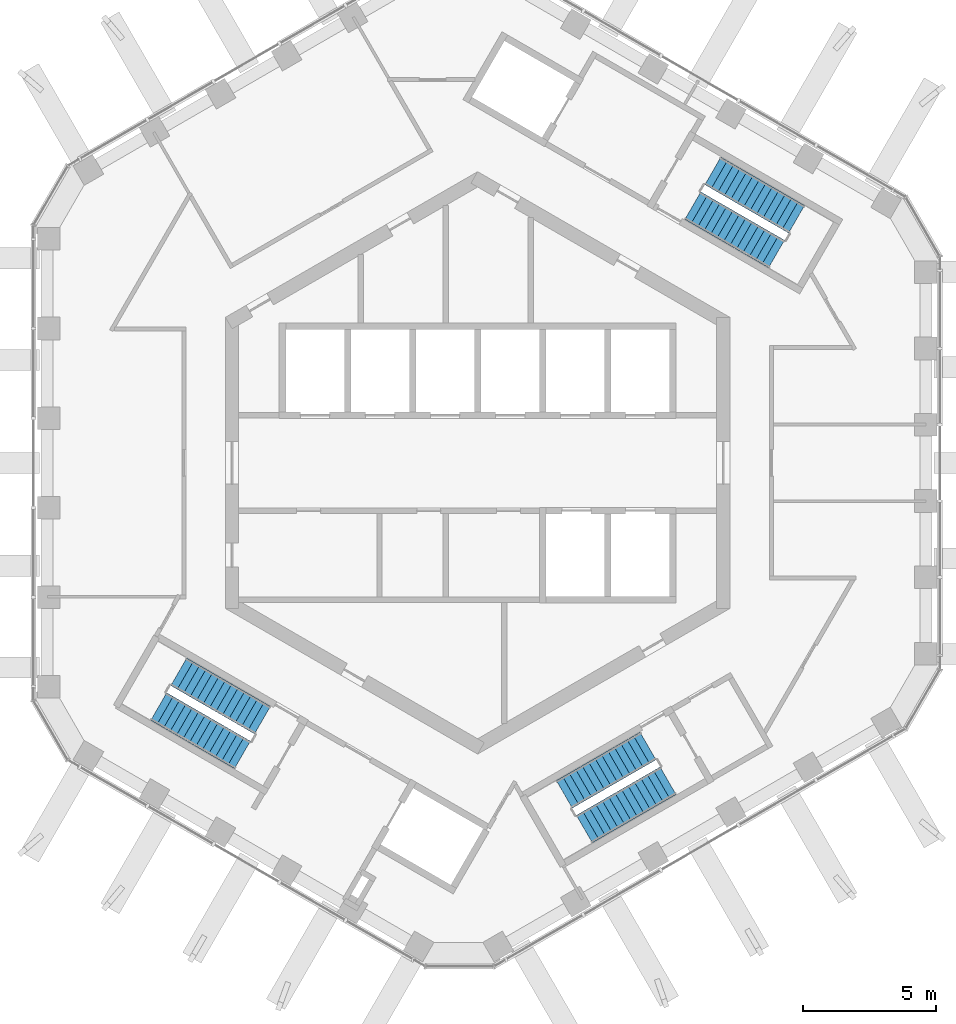
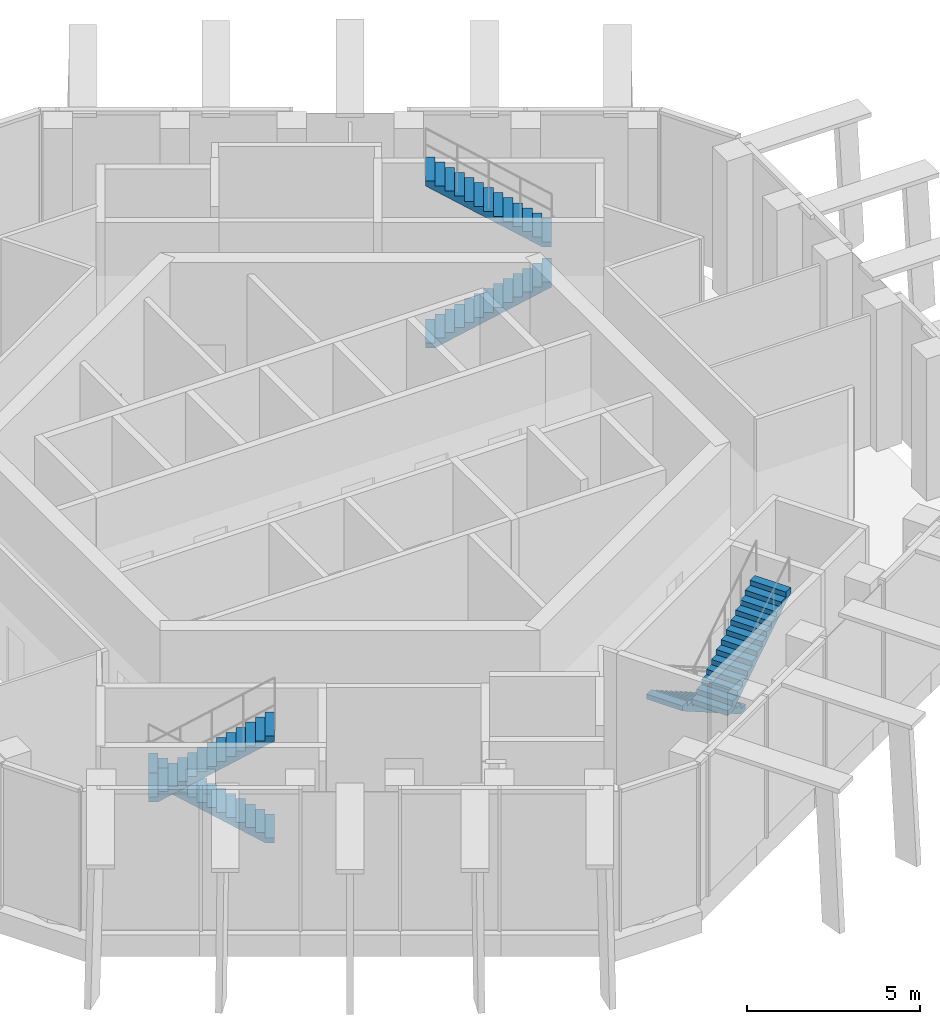
# One storey, part 14 of 17: 6 stair flights, 3 elements without a shape of their own.
"""IFC4 building model written with IfcOpenShell, lengths in metres."""

from ifc_helpers import new_model, si_unit, direction, frame, origin, place, context, subcontext, project, spatial, triangles, material, type_object, element, aggregate, save


model = new_model("IFC4")

# Units and contexts
model_context = context("Model", 3, precision=1e-05, world=origin(), true_north=direction((0.0, 1.0)))
body_context = subcontext(model_context, "Body", "Model", "MODEL_VIEW")
ifc_project = project(units=[si_unit("LENGTHUNIT", "METRE"), si_unit("AREAUNIT", "SQUARE_METRE"), si_unit("VOLUMEUNIT", "CUBIC_METRE"), si_unit("PLANEANGLEUNIT", "RADIAN"), si_unit("MASSUNIT", "GRAM", prefix="KILO")], contexts=[model_context])

# Site, building, storey
site_placement = place(None, origin())
site = spatial("IfcSite", under=ifc_project, at=site_placement, CompositionType="ELEMENT")
building_placement = place(site_placement, origin())
building = spatial("IfcBuilding", under=site, at=building_placement, Name="Ayvan Gate Tower", CompositionType="ELEMENT")
storey_placement = place(building_placement, frame((0.0, 0.0, 257.89990234375)))
storey = spatial("IfcBuildingStorey", under=building, at=storey_placement, Name="L69", CompositionType="ELEMENT", Elevation=257.89990234375)

# Stair, stair flights
ifc_material = material(Name="Concrete C40/50", Category="concrete")
stair_type = type_object("IfcStairType", Name="ST-EXIT", PredefinedType="HALF_TURN_STAIR", material=ifc_material)
stair_1_placement = place(storey_placement, origin())
stair_1 = element("IfcStair", 1, at=stair_1_placement, inside=storey, type_object=stair_type, Name="L69 Exit Stair S1", PredefinedType="HALF_TURN_STAIR")
stair_flight_type = type_object("IfcStairFlightType", Name="SFL-EXIT", PredefinedType="STRAIGHT", material=ifc_material)
stair_flight_1_placement = place(storey_placement, frame((8.106201171875, 9.690185546875, 0.0), z_axis=(0.0, 0.0, 1.0), x_axis=(0.866025403784, -0.5, 0.0)))
stair_flight_1 = element("IfcStairFlight", 2, at=stair_flight_1_placement, type_object=stair_flight_type, Name="STS1 flight 1", NumberOfRisers=14, NumberOfTreads=13, PredefinedType="STRAIGHT", RiserHeight=0.178571429, TreadLength=0.28, context=body_context, shape_type="Tessellation", body=[
    triangles([(0.278779, -0.599976, 0.0), (3.6405, -0.599976, 2.143955), (3.6405, -0.599976, 2.321429), (3.36, -0.599976, 2.321429), (3.36, -0.599976, 2.142857), (3.08, -0.599976, 2.142857), (3.08, -0.599976, 1.964286), (2.8, -0.599976, 1.964286), (2.8, -0.599976, 1.785714), (2.52, -0.599976, 1.785714), (2.52, -0.599976, 1.607143), (2.24, -0.599976, 1.607143), (2.24, -0.599976, 1.428571), (1.96, -0.599976, 1.428571), (1.96, -0.599976, 1.25), (1.68, -0.599976, 1.25), (1.68, -0.599976, 1.071429), (1.4, -0.599976, 1.071429), (1.4, -0.599976, 0.892857), (1.12, -0.599976, 0.892857), (1.12, -0.599976, 0.714286), (0.84, -0.599976, 0.714286), (0.84, -0.599976, 0.535714), (0.56, -0.599976, 0.535714), (0.56, -0.599976, 0.357143), (0.28, -0.599976, 0.357143), (0.28, -0.599976, 0.178571), (-0.0005, -0.599976, 0.178571), (-0.0005, -0.599976, 0.0), (0.278779, 0.0, 0.0), (3.6405, 0.0, 2.143955), (3.6405, 0.0, 2.321429), (3.36, 0.0, 2.321429), (3.36, 0.0, 2.142857), (3.08, 0.0, 2.142857), (3.08, 0.0, 1.964286), (2.8, 0.0, 1.964286), (2.8, 0.0, 1.785714), (2.52, 0.0, 1.785714), (2.52, 0.0, 1.607143), (2.24, 0.0, 1.607143), (2.24, 0.0, 1.428571), (1.96, 0.0, 1.428571), (1.96, 0.0, 1.25), (1.68, 0.0, 1.25), (1.68, 0.0, 1.071429), (1.4, 0.0, 1.071429), (1.4, 0.0, 0.892857), (1.12, 0.0, 0.892857), (1.12, 0.0, 0.714286), (0.84, 0.0, 0.714286), (0.84, 0.0, 0.535714), (0.56, 0.0, 0.535714), (0.56, 0.0, 0.357143), (0.28, 0.0, 0.357143), (0.28, 0.0, 0.178571), (-0.0005, 0.0, 0.178571), (-0.0005, 0.0, 0.0), (0.278779, 0.599976, 0.0), (3.6405, 0.599976, 2.143955), (3.6405, 0.599976, 2.321429), (3.36, 0.599976, 2.321429), (3.36, 0.599976, 2.142857), (3.08, 0.599976, 2.142857), (3.08, 0.599976, 1.964286), (2.8, 0.599976, 1.964286), (2.8, 0.599976, 1.785714), (2.52, 0.599976, 1.785714), (2.52, 0.599976, 1.607143), (2.24, 0.599976, 1.607143), (2.24, 0.599976, 1.428571), (1.96, 0.599976, 1.428571), (1.96, 0.599976, 1.25), (1.68, 0.599976, 1.25), (1.68, 0.599976, 1.071429), (1.4, 0.599976, 1.071429), (1.4, 0.599976, 0.892857), (1.12, 0.599976, 0.892857), (1.12, 0.599976, 0.714286), (0.84, 0.599976, 0.714286), (0.84, 0.599976, 0.535714), (0.56, 0.599976, 0.535714), (0.56, 0.599976, 0.357143), (0.28, 0.599976, 0.357143), (0.28, 0.599976, 0.178571), (-0.0005, 0.599976, 0.178571), (-0.0005, 0.599976, 0.0)], [[29, 1, 2], [87, 60, 59], [2, 3, 4], [60, 62, 61], [2, 4, 5], [60, 63, 62], [5, 6, 7], [63, 65, 64], [2, 5, 7], [60, 65, 63], [7, 8, 9], [65, 67, 66], [2, 7, 9], [60, 67, 65], [9, 10, 11], [67, 69, 68], [2, 9, 11], [60, 69, 67], [11, 12, 13], [69, 71, 70], [2, 11, 13], [60, 71, 69], [13, 14, 15], [71, 73, 72], [2, 13, 15], [60, 73, 71], [15, 16, 17], [73, 75, 74], [2, 15, 17], [60, 75, 73], [17, 18, 19], [75, 77, 76], [2, 17, 19], [60, 77, 75], [19, 20, 21], [77, 79, 78], [2, 19, 21], [60, 79, 77], [21, 22, 23], [79, 81, 80], [2, 21, 23], [60, 81, 79], [23, 24, 25], [81, 83, 82], [2, 23, 25], [60, 83, 81], [25, 26, 27], [83, 85, 84], [2, 25, 27], [60, 85, 83], [29, 2, 27], [87, 85, 60], [27, 28, 29], [85, 87, 86], [1, 30, 31], [1, 31, 2], [59, 31, 30], [59, 60, 31], [2, 31, 32], [2, 32, 3], [60, 32, 31], [60, 61, 32], [3, 32, 33], [3, 33, 4], [61, 33, 32], [61, 62, 33], [4, 33, 34], [4, 34, 5], [62, 34, 33], [62, 63, 34], [5, 34, 35], [5, 35, 6], [63, 35, 34], [63, 64, 35], [6, 35, 36], [6, 36, 7], [64, 36, 35], [64, 65, 36], [7, 36, 37], [7, 37, 8], [65, 37, 36], [65, 66, 37], [8, 37, 38], [8, 38, 9], [66, 38, 37], [66, 67, 38], [9, 38, 39], [9, 39, 10], [67, 39, 38], [67, 68, 39], [10, 39, 40], [10, 40, 11], [68, 40, 39], [68, 69, 40], [11, 40, 41], [11, 41, 12], [69, 41, 40], [69, 70, 41], [12, 41, 42], [12, 42, 13], [70, 42, 41], [70, 71, 42], [13, 42, 43], [13, 43, 14], [71, 43, 42], [71, 72, 43], [14, 43, 44], [14, 44, 15], [72, 44, 43], [72, 73, 44], [15, 44, 45], [15, 45, 16], [73, 45, 44], [73, 74, 45], [16, 45, 46], [16, 46, 17], [74, 46, 45], [74, 75, 46], [17, 46, 47], [17, 47, 18], [75, 47, 46], [75, 76, 47], [18, 47, 48], [18, 48, 19], [76, 48, 47], [76, 77, 48], [19, 48, 49], [19, 49, 20], [77, 49, 48], [77, 78, 49], [20, 49, 50], [20, 50, 21], [78, 50, 49], [78, 79, 50], [21, 50, 51], [21, 51, 22], [79, 51, 50], [79, 80, 51], [22, 51, 52], [22, 52, 23], [80, 52, 51], [80, 81, 52], [23, 52, 53], [23, 53, 24], [81, 53, 52], [81, 82, 53], [24, 53, 54], [24, 54, 25], [82, 54, 53], [82, 83, 54], [25, 54, 55], [25, 55, 26], [83, 55, 54], [83, 84, 55], [26, 55, 56], [26, 56, 27], [84, 56, 55], [84, 85, 56], [27, 56, 57], [27, 57, 28], [85, 57, 56], [85, 86, 57], [28, 57, 58], [28, 58, 29], [86, 58, 57], [86, 87, 58], [29, 58, 30], [29, 30, 1], [87, 30, 58], [87, 59, 30]], closed=True),
])
stair_flight_2_placement = place(storey_placement, frame((12.013427734375, 9.177978515625, 2.5), z_axis=(0.0, 0.0, 1.0), x_axis=(-0.866025403784, 0.5, 0.0)))
stair_flight_2 = element("IfcStairFlight", 3, at=stair_flight_2_placement, type_object=stair_flight_type, Name="STS1 flight 2", NumberOfRisers=14, NumberOfTreads=13, PredefinedType="STRAIGHT", RiserHeight=0.178571429, TreadLength=0.28, context=body_context, shape_type="Tessellation", body=[
    triangles([(0.278779, -0.599976, 0.0), (3.6405, -0.599976, 2.143955), (3.6405, -0.599976, 2.321429), (3.36, -0.599976, 2.321429), (3.36, -0.599976, 2.142857), (3.08, -0.599976, 2.142857), (3.08, -0.599976, 1.964286), (2.8, -0.599976, 1.964286), (2.8, -0.599976, 1.785714), (2.52, -0.599976, 1.785714), (2.52, -0.599976, 1.607143), (2.24, -0.599976, 1.607143), (2.24, -0.599976, 1.428571), (1.96, -0.599976, 1.428571), (1.96, -0.599976, 1.25), (1.68, -0.599976, 1.25), (1.68, -0.599976, 1.071429), (1.4, -0.599976, 1.071429), (1.4, -0.599976, 0.892857), (1.12, -0.599976, 0.892857), (1.12, -0.599976, 0.714286), (0.84, -0.599976, 0.714286), (0.84, -0.599976, 0.535714), (0.56, -0.599976, 0.535714), (0.56, -0.599976, 0.357143), (0.28, -0.599976, 0.357143), (0.28, -0.599976, 0.178571), (-0.0005, -0.599976, 0.178571), (-0.0005, -0.599976, 0.0), (0.278779, 0.0, 0.0), (3.6405, 0.0, 2.143955), (3.6405, 0.0, 2.321429), (3.36, 0.0, 2.321429), (3.36, 0.0, 2.142857), (3.08, 0.0, 2.142857), (3.08, 0.0, 1.964286), (2.8, 0.0, 1.964286), (2.8, 0.0, 1.785714), (2.52, 0.0, 1.785714), (2.52, 0.0, 1.607143), (2.24, 0.0, 1.607143), (2.24, 0.0, 1.428571), (1.96, 0.0, 1.428571), (1.96, 0.0, 1.25), (1.68, 0.0, 1.25), (1.68, 0.0, 1.071429), (1.4, 0.0, 1.071429), (1.4, 0.0, 0.892857), (1.12, 0.0, 0.892857), (1.12, 0.0, 0.714286), (0.84, 0.0, 0.714286), (0.84, 0.0, 0.535714), (0.56, 0.0, 0.535714), (0.56, 0.0, 0.357143), (0.28, 0.0, 0.357143), (0.28, 0.0, 0.178571), (-0.0005, 0.0, 0.178571), (-0.0005, 0.0, 0.0), (0.278779, 0.599976, 0.0), (3.6405, 0.599976, 2.143955), (3.6405, 0.599976, 2.321429), (3.36, 0.599976, 2.321429), (3.36, 0.599976, 2.142857), (3.08, 0.599976, 2.142857), (3.08, 0.599976, 1.964286), (2.8, 0.599976, 1.964286), (2.8, 0.599976, 1.785714), (2.52, 0.599976, 1.785714), (2.52, 0.599976, 1.607143), (2.24, 0.599976, 1.607143), (2.24, 0.599976, 1.428571), (1.96, 0.599976, 1.428571), (1.96, 0.599976, 1.25), (1.68, 0.599976, 1.25), (1.68, 0.599976, 1.071429), (1.4, 0.599976, 1.071429), (1.4, 0.599976, 0.892857), (1.12, 0.599976, 0.892857), (1.12, 0.599976, 0.714286), (0.84, 0.599976, 0.714286), (0.84, 0.599976, 0.535714), (0.56, 0.599976, 0.535714), (0.56, 0.599976, 0.357143), (0.28, 0.599976, 0.357143), (0.28, 0.599976, 0.178571), (-0.0005, 0.599976, 0.178571), (-0.0005, 0.599976, 0.0)], [[29, 1, 2], [87, 60, 59], [2, 3, 4], [60, 62, 61], [2, 4, 5], [60, 63, 62], [5, 6, 7], [63, 65, 64], [2, 5, 7], [60, 65, 63], [7, 8, 9], [65, 67, 66], [2, 7, 9], [60, 67, 65], [9, 10, 11], [67, 69, 68], [2, 9, 11], [60, 69, 67], [11, 12, 13], [69, 71, 70], [2, 11, 13], [60, 71, 69], [13, 14, 15], [71, 73, 72], [2, 13, 15], [60, 73, 71], [15, 16, 17], [73, 75, 74], [2, 15, 17], [60, 75, 73], [17, 18, 19], [75, 77, 76], [2, 17, 19], [60, 77, 75], [19, 20, 21], [77, 79, 78], [2, 19, 21], [60, 79, 77], [21, 22, 23], [79, 81, 80], [2, 21, 23], [60, 81, 79], [23, 24, 25], [81, 83, 82], [2, 23, 25], [60, 83, 81], [25, 26, 27], [83, 85, 84], [2, 25, 27], [60, 85, 83], [29, 2, 27], [87, 85, 60], [27, 28, 29], [85, 87, 86], [1, 30, 31], [1, 31, 2], [59, 31, 30], [59, 60, 31], [2, 31, 32], [2, 32, 3], [60, 32, 31], [60, 61, 32], [3, 32, 33], [3, 33, 4], [61, 33, 32], [61, 62, 33], [4, 33, 34], [4, 34, 5], [62, 34, 33], [62, 63, 34], [5, 34, 35], [5, 35, 6], [63, 35, 34], [63, 64, 35], [6, 35, 36], [6, 36, 7], [64, 36, 35], [64, 65, 36], [7, 36, 37], [7, 37, 8], [65, 37, 36], [65, 66, 37], [8, 37, 38], [8, 38, 9], [66, 38, 37], [66, 67, 38], [9, 38, 39], [9, 39, 10], [67, 39, 38], [67, 68, 39], [10, 39, 40], [10, 40, 11], [68, 40, 39], [68, 69, 40], [11, 40, 41], [11, 41, 12], [69, 41, 40], [69, 70, 41], [12, 41, 42], [12, 42, 13], [70, 42, 41], [70, 71, 42], [13, 42, 43], [13, 43, 14], [71, 43, 42], [71, 72, 43], [14, 43, 44], [14, 44, 15], [72, 44, 43], [72, 73, 44], [15, 44, 45], [15, 45, 16], [73, 45, 44], [73, 74, 45], [16, 45, 46], [16, 46, 17], [74, 46, 45], [74, 75, 46], [17, 46, 47], [17, 47, 18], [75, 47, 46], [75, 76, 47], [18, 47, 48], [18, 48, 19], [76, 48, 47], [76, 77, 48], [19, 48, 49], [19, 49, 20], [77, 49, 48], [77, 78, 49], [20, 49, 50], [20, 50, 21], [78, 50, 49], [78, 79, 50], [21, 50, 51], [21, 51, 22], [79, 51, 50], [79, 80, 51], [22, 51, 52], [22, 52, 23], [80, 52, 51], [80, 81, 52], [23, 52, 53], [23, 53, 24], [81, 53, 52], [81, 82, 53], [24, 53, 54], [24, 54, 25], [82, 54, 53], [82, 83, 54], [25, 54, 55], [25, 55, 26], [83, 55, 54], [83, 84, 55], [26, 55, 56], [26, 56, 27], [84, 56, 55], [84, 85, 56], [27, 56, 57], [27, 57, 28], [85, 57, 56], [85, 86, 57], [28, 57, 58], [28, 58, 29], [86, 58, 57], [86, 87, 58], [29, 58, 30], [29, 30, 1], [87, 30, 58], [87, 59, 30]], closed=True),
])
aggregate(stair_1, [stair_flight_1, stair_flight_2])

stair_2_placement = place(storey_placement, origin())
stair_2 = element("IfcStair", 4, at=stair_2_placement, inside=storey, type_object=stair_type, Name="L69 Exit Stair S2", PredefinedType="HALF_TURN_STAIR")
stair_flight_3_placement = place(storey_placement, frame((-8.106201171875, -9.690185546875, 0.0), z_axis=(0.0, 0.0, 1.0), x_axis=(-0.866025403784, 0.5, 0.0)))
stair_flight_3 = element("IfcStairFlight", 5, at=stair_flight_3_placement, type_object=stair_flight_type, Name="STS2 flight 1", NumberOfRisers=14, NumberOfTreads=13, PredefinedType="STRAIGHT", RiserHeight=0.178571429, TreadLength=0.28, context=body_context, shape_type="Tessellation", body=[
    triangles([(0.278779, -0.599976, 0.0), (3.6405, -0.599976, 2.143955), (3.6405, -0.599976, 2.321429), (3.36, -0.599976, 2.321429), (3.36, -0.599976, 2.142857), (3.08, -0.599976, 2.142857), (3.08, -0.599976, 1.964286), (2.8, -0.599976, 1.964286), (2.8, -0.599976, 1.785714), (2.52, -0.599976, 1.785714), (2.52, -0.599976, 1.607143), (2.24, -0.599976, 1.607143), (2.24, -0.599976, 1.428571), (1.96, -0.599976, 1.428571), (1.96, -0.599976, 1.25), (1.68, -0.599976, 1.25), (1.68, -0.599976, 1.071429), (1.4, -0.599976, 1.071429), (1.4, -0.599976, 0.892857), (1.12, -0.599976, 0.892857), (1.12, -0.599976, 0.714286), (0.84, -0.599976, 0.714286), (0.84, -0.599976, 0.535714), (0.56, -0.599976, 0.535714), (0.56, -0.599976, 0.357143), (0.28, -0.599976, 0.357143), (0.28, -0.599976, 0.178571), (-0.0005, -0.599976, 0.178571), (-0.0005, -0.599976, 0.0), (0.278779, 0.0, 0.0), (3.6405, 0.0, 2.143955), (3.6405, 0.0, 2.321429), (3.36, 0.0, 2.321429), (3.36, 0.0, 2.142857), (3.08, 0.0, 2.142857), (3.08, 0.0, 1.964286), (2.8, 0.0, 1.964286), (2.8, 0.0, 1.785714), (2.52, 0.0, 1.785714), (2.52, 0.0, 1.607143), (2.24, 0.0, 1.607143), (2.24, 0.0, 1.428571), (1.96, 0.0, 1.428571), (1.96, 0.0, 1.25), (1.68, 0.0, 1.25), (1.68, 0.0, 1.071429), (1.4, 0.0, 1.071429), (1.4, 0.0, 0.892857), (1.12, 0.0, 0.892857), (1.12, 0.0, 0.714286), (0.84, 0.0, 0.714286), (0.84, 0.0, 0.535714), (0.56, 0.0, 0.535714), (0.56, 0.0, 0.357143), (0.28, 0.0, 0.357143), (0.28, 0.0, 0.178571), (-0.0005, 0.0, 0.178571), (-0.0005, 0.0, 0.0), (0.278779, 0.599976, 0.0), (3.6405, 0.599976, 2.143955), (3.6405, 0.599976, 2.321429), (3.36, 0.599976, 2.321429), (3.36, 0.599976, 2.142857), (3.08, 0.599976, 2.142857), (3.08, 0.599976, 1.964286), (2.8, 0.599976, 1.964286), (2.8, 0.599976, 1.785714), (2.52, 0.599976, 1.785714), (2.52, 0.599976, 1.607143), (2.24, 0.599976, 1.607143), (2.24, 0.599976, 1.428571), (1.96, 0.599976, 1.428571), (1.96, 0.599976, 1.25), (1.68, 0.599976, 1.25), (1.68, 0.599976, 1.071429), (1.4, 0.599976, 1.071429), (1.4, 0.599976, 0.892857), (1.12, 0.599976, 0.892857), (1.12, 0.599976, 0.714286), (0.84, 0.599976, 0.714286), (0.84, 0.599976, 0.535714), (0.56, 0.599976, 0.535714), (0.56, 0.599976, 0.357143), (0.28, 0.599976, 0.357143), (0.28, 0.599976, 0.178571), (-0.0005, 0.599976, 0.178571), (-0.0005, 0.599976, 0.0)], [[29, 1, 2], [87, 60, 59], [2, 3, 4], [60, 62, 61], [2, 4, 5], [60, 63, 62], [5, 6, 7], [63, 65, 64], [2, 5, 7], [60, 65, 63], [7, 8, 9], [65, 67, 66], [2, 7, 9], [60, 67, 65], [9, 10, 11], [67, 69, 68], [2, 9, 11], [60, 69, 67], [11, 12, 13], [69, 71, 70], [2, 11, 13], [60, 71, 69], [13, 14, 15], [71, 73, 72], [2, 13, 15], [60, 73, 71], [15, 16, 17], [73, 75, 74], [2, 15, 17], [60, 75, 73], [17, 18, 19], [75, 77, 76], [2, 17, 19], [60, 77, 75], [19, 20, 21], [77, 79, 78], [2, 19, 21], [60, 79, 77], [21, 22, 23], [79, 81, 80], [2, 21, 23], [60, 81, 79], [23, 24, 25], [81, 83, 82], [2, 23, 25], [60, 83, 81], [25, 26, 27], [83, 85, 84], [2, 25, 27], [60, 85, 83], [29, 2, 27], [87, 85, 60], [27, 28, 29], [85, 87, 86], [1, 30, 31], [1, 31, 2], [59, 31, 30], [59, 60, 31], [2, 31, 32], [2, 32, 3], [60, 32, 31], [60, 61, 32], [3, 32, 33], [3, 33, 4], [61, 33, 32], [61, 62, 33], [4, 33, 34], [4, 34, 5], [62, 34, 33], [62, 63, 34], [5, 34, 35], [5, 35, 6], [63, 35, 34], [63, 64, 35], [6, 35, 36], [6, 36, 7], [64, 36, 35], [64, 65, 36], [7, 36, 37], [7, 37, 8], [65, 37, 36], [65, 66, 37], [8, 37, 38], [8, 38, 9], [66, 38, 37], [66, 67, 38], [9, 38, 39], [9, 39, 10], [67, 39, 38], [67, 68, 39], [10, 39, 40], [10, 40, 11], [68, 40, 39], [68, 69, 40], [11, 40, 41], [11, 41, 12], [69, 41, 40], [69, 70, 41], [12, 41, 42], [12, 42, 13], [70, 42, 41], [70, 71, 42], [13, 42, 43], [13, 43, 14], [71, 43, 42], [71, 72, 43], [14, 43, 44], [14, 44, 15], [72, 44, 43], [72, 73, 44], [15, 44, 45], [15, 45, 16], [73, 45, 44], [73, 74, 45], [16, 45, 46], [16, 46, 17], [74, 46, 45], [74, 75, 46], [17, 46, 47], [17, 47, 18], [75, 47, 46], [75, 76, 47], [18, 47, 48], [18, 48, 19], [76, 48, 47], [76, 77, 48], [19, 48, 49], [19, 49, 20], [77, 49, 48], [77, 78, 49], [20, 49, 50], [20, 50, 21], [78, 50, 49], [78, 79, 50], [21, 50, 51], [21, 51, 22], [79, 51, 50], [79, 80, 51], [22, 51, 52], [22, 52, 23], [80, 52, 51], [80, 81, 52], [23, 52, 53], [23, 53, 24], [81, 53, 52], [81, 82, 53], [24, 53, 54], [24, 54, 25], [82, 54, 53], [82, 83, 54], [25, 54, 55], [25, 55, 26], [83, 55, 54], [83, 84, 55], [26, 55, 56], [26, 56, 27], [84, 56, 55], [84, 85, 56], [27, 56, 57], [27, 57, 28], [85, 57, 56], [85, 86, 57], [28, 57, 58], [28, 58, 29], [86, 58, 57], [86, 87, 58], [29, 58, 30], [29, 30, 1], [87, 30, 58], [87, 59, 30]], closed=True),
])
stair_flight_4_placement = place(storey_placement, frame((-12.013427734375, -9.177978515625, 2.5), z_axis=(0.0, 0.0, 1.0), x_axis=(0.866025403784, -0.5, 0.0)))
stair_flight_4 = element("IfcStairFlight", 6, at=stair_flight_4_placement, type_object=stair_flight_type, Name="STS2 flight 2", NumberOfRisers=14, NumberOfTreads=13, PredefinedType="STRAIGHT", RiserHeight=0.178571429, TreadLength=0.28, context=body_context, shape_type="Tessellation", body=[
    triangles([(0.278779, -0.599976, 0.0), (3.6405, -0.599976, 2.143955), (3.6405, -0.599976, 2.321429), (3.36, -0.599976, 2.321429), (3.36, -0.599976, 2.142857), (3.08, -0.599976, 2.142857), (3.08, -0.599976, 1.964286), (2.8, -0.599976, 1.964286), (2.8, -0.599976, 1.785714), (2.52, -0.599976, 1.785714), (2.52, -0.599976, 1.607143), (2.24, -0.599976, 1.607143), (2.24, -0.599976, 1.428571), (1.96, -0.599976, 1.428571), (1.96, -0.599976, 1.25), (1.68, -0.599976, 1.25), (1.68, -0.599976, 1.071429), (1.4, -0.599976, 1.071429), (1.4, -0.599976, 0.892857), (1.12, -0.599976, 0.892857), (1.12, -0.599976, 0.714286), (0.84, -0.599976, 0.714286), (0.84, -0.599976, 0.535714), (0.56, -0.599976, 0.535714), (0.56, -0.599976, 0.357143), (0.28, -0.599976, 0.357143), (0.28, -0.599976, 0.178571), (-0.0005, -0.599976, 0.178571), (-0.0005, -0.599976, 0.0), (0.278779, 0.0, 0.0), (3.6405, 0.0, 2.143955), (3.6405, 0.0, 2.321429), (3.36, 0.0, 2.321429), (3.36, 0.0, 2.142857), (3.08, 0.0, 2.142857), (3.08, 0.0, 1.964286), (2.8, 0.0, 1.964286), (2.8, 0.0, 1.785714), (2.52, 0.0, 1.785714), (2.52, 0.0, 1.607143), (2.24, 0.0, 1.607143), (2.24, 0.0, 1.428571), (1.96, 0.0, 1.428571), (1.96, 0.0, 1.25), (1.68, 0.0, 1.25), (1.68, 0.0, 1.071429), (1.4, 0.0, 1.071429), (1.4, 0.0, 0.892857), (1.12, 0.0, 0.892857), (1.12, 0.0, 0.714286), (0.84, 0.0, 0.714286), (0.84, 0.0, 0.535714), (0.56, 0.0, 0.535714), (0.56, 0.0, 0.357143), (0.28, 0.0, 0.357143), (0.28, 0.0, 0.178571), (-0.0005, 0.0, 0.178571), (-0.0005, 0.0, 0.0), (0.278779, 0.599976, 0.0), (3.6405, 0.599976, 2.143955), (3.6405, 0.599976, 2.321429), (3.36, 0.599976, 2.321429), (3.36, 0.599976, 2.142857), (3.08, 0.599976, 2.142857), (3.08, 0.599976, 1.964286), (2.8, 0.599976, 1.964286), (2.8, 0.599976, 1.785714), (2.52, 0.599976, 1.785714), (2.52, 0.599976, 1.607143), (2.24, 0.599976, 1.607143), (2.24, 0.599976, 1.428571), (1.96, 0.599976, 1.428571), (1.96, 0.599976, 1.25), (1.68, 0.599976, 1.25), (1.68, 0.599976, 1.071429), (1.4, 0.599976, 1.071429), (1.4, 0.599976, 0.892857), (1.12, 0.599976, 0.892857), (1.12, 0.599976, 0.714286), (0.84, 0.599976, 0.714286), (0.84, 0.599976, 0.535714), (0.56, 0.599976, 0.535714), (0.56, 0.599976, 0.357143), (0.28, 0.599976, 0.357143), (0.28, 0.599976, 0.178571), (-0.0005, 0.599976, 0.178571), (-0.0005, 0.599976, 0.0)], [[29, 1, 2], [87, 60, 59], [2, 3, 4], [60, 62, 61], [2, 4, 5], [60, 63, 62], [5, 6, 7], [63, 65, 64], [2, 5, 7], [60, 65, 63], [7, 8, 9], [65, 67, 66], [2, 7, 9], [60, 67, 65], [9, 10, 11], [67, 69, 68], [2, 9, 11], [60, 69, 67], [11, 12, 13], [69, 71, 70], [2, 11, 13], [60, 71, 69], [13, 14, 15], [71, 73, 72], [2, 13, 15], [60, 73, 71], [15, 16, 17], [73, 75, 74], [2, 15, 17], [60, 75, 73], [17, 18, 19], [75, 77, 76], [2, 17, 19], [60, 77, 75], [19, 20, 21], [77, 79, 78], [2, 19, 21], [60, 79, 77], [21, 22, 23], [79, 81, 80], [2, 21, 23], [60, 81, 79], [23, 24, 25], [81, 83, 82], [2, 23, 25], [60, 83, 81], [25, 26, 27], [83, 85, 84], [2, 25, 27], [60, 85, 83], [29, 2, 27], [87, 85, 60], [27, 28, 29], [85, 87, 86], [1, 30, 31], [1, 31, 2], [59, 31, 30], [59, 60, 31], [2, 31, 32], [2, 32, 3], [60, 32, 31], [60, 61, 32], [3, 32, 33], [3, 33, 4], [61, 33, 32], [61, 62, 33], [4, 33, 34], [4, 34, 5], [62, 34, 33], [62, 63, 34], [5, 34, 35], [5, 35, 6], [63, 35, 34], [63, 64, 35], [6, 35, 36], [6, 36, 7], [64, 36, 35], [64, 65, 36], [7, 36, 37], [7, 37, 8], [65, 37, 36], [65, 66, 37], [8, 37, 38], [8, 38, 9], [66, 38, 37], [66, 67, 38], [9, 38, 39], [9, 39, 10], [67, 39, 38], [67, 68, 39], [10, 39, 40], [10, 40, 11], [68, 40, 39], [68, 69, 40], [11, 40, 41], [11, 41, 12], [69, 41, 40], [69, 70, 41], [12, 41, 42], [12, 42, 13], [70, 42, 41], [70, 71, 42], [13, 42, 43], [13, 43, 14], [71, 43, 42], [71, 72, 43], [14, 43, 44], [14, 44, 15], [72, 44, 43], [72, 73, 44], [15, 44, 45], [15, 45, 16], [73, 45, 44], [73, 74, 45], [16, 45, 46], [16, 46, 17], [74, 46, 45], [74, 75, 46], [17, 46, 47], [17, 47, 18], [75, 47, 46], [75, 76, 47], [18, 47, 48], [18, 48, 19], [76, 48, 47], [76, 77, 48], [19, 48, 49], [19, 49, 20], [77, 49, 48], [77, 78, 49], [20, 49, 50], [20, 50, 21], [78, 50, 49], [78, 79, 50], [21, 50, 51], [21, 51, 22], [79, 51, 50], [79, 80, 51], [22, 51, 52], [22, 52, 23], [80, 52, 51], [80, 81, 52], [23, 52, 53], [23, 53, 24], [81, 53, 52], [81, 82, 53], [24, 53, 54], [24, 54, 25], [82, 54, 53], [82, 83, 54], [25, 54, 55], [25, 55, 26], [83, 55, 54], [83, 84, 55], [26, 55, 56], [26, 56, 27], [84, 56, 55], [84, 85, 56], [27, 56, 57], [27, 57, 28], [85, 57, 56], [85, 86, 57], [28, 57, 58], [28, 58, 29], [86, 58, 57], [86, 87, 58], [29, 58, 30], [29, 30, 1], [87, 30, 58], [87, 59, 30]], closed=True),
])
aggregate(stair_2, [stair_flight_3, stair_flight_4])

stair_3_placement = place(storey_placement, origin())
stair_3 = element("IfcStair", 7, at=stair_3_placement, inside=storey, type_object=stair_type, Name="L69 Exit Stair S3", PredefinedType="HALF_TURN_STAIR")
stair_flight_5_placement = place(storey_placement, frame((6.417236328125, -10.665283203125, 0.0), z_axis=(0.0, 0.0, 1.0), x_axis=(-0.866025403784, -0.5, 0.0)))
stair_flight_5 = element("IfcStairFlight", 8, at=stair_flight_5_placement, type_object=stair_flight_type, Name="STS3 flight 1", NumberOfRisers=14, NumberOfTreads=13, PredefinedType="STRAIGHT", RiserHeight=0.178571429, TreadLength=0.28, context=body_context, shape_type="Tessellation", body=[
    triangles([(0.278779, -0.599976, 0.0), (3.6405, -0.599976, 2.143955), (3.6405, -0.599976, 2.321429), (3.36, -0.599976, 2.321429), (3.36, -0.599976, 2.142857), (3.08, -0.599976, 2.142857), (3.08, -0.599976, 1.964286), (2.8, -0.599976, 1.964286), (2.8, -0.599976, 1.785714), (2.52, -0.599976, 1.785714), (2.52, -0.599976, 1.607143), (2.24, -0.599976, 1.607143), (2.24, -0.599976, 1.428571), (1.96, -0.599976, 1.428571), (1.96, -0.599976, 1.25), (1.68, -0.599976, 1.25), (1.68, -0.599976, 1.071429), (1.4, -0.599976, 1.071429), (1.4, -0.599976, 0.892857), (1.12, -0.599976, 0.892857), (1.12, -0.599976, 0.714286), (0.84, -0.599976, 0.714286), (0.84, -0.599976, 0.535714), (0.56, -0.599976, 0.535714), (0.56, -0.599976, 0.357143), (0.28, -0.599976, 0.357143), (0.28, -0.599976, 0.178571), (-0.0005, -0.599976, 0.178571), (-0.0005, -0.599976, 0.0), (0.278779, 0.0, 0.0), (3.6405, 0.0, 2.143955), (3.6405, 0.0, 2.321429), (3.36, 0.0, 2.321429), (3.36, 0.0, 2.142857), (3.08, 0.0, 2.142857), (3.08, 0.0, 1.964286), (2.8, 0.0, 1.964286), (2.8, 0.0, 1.785714), (2.52, 0.0, 1.785714), (2.52, 0.0, 1.607143), (2.24, 0.0, 1.607143), (2.24, 0.0, 1.428571), (1.96, 0.0, 1.428571), (1.96, 0.0, 1.25), (1.68, 0.0, 1.25), (1.68, 0.0, 1.071429), (1.4, 0.0, 1.071429), (1.4, 0.0, 0.892857), (1.12, 0.0, 0.892857), (1.12, 0.0, 0.714286), (0.84, 0.0, 0.714286), (0.84, 0.0, 0.535714), (0.56, 0.0, 0.535714), (0.56, 0.0, 0.357143), (0.28, 0.0, 0.357143), (0.28, 0.0, 0.178571), (-0.0005, 0.0, 0.178571), (-0.0005, 0.0, 0.0), (0.278779, 0.599976, 0.0), (3.6405, 0.599976, 2.143955), (3.6405, 0.599976, 2.321429), (3.36, 0.599976, 2.321429), (3.36, 0.599976, 2.142857), (3.08, 0.599976, 2.142857), (3.08, 0.599976, 1.964286), (2.8, 0.599976, 1.964286), (2.8, 0.599976, 1.785714), (2.52, 0.599976, 1.785714), (2.52, 0.599976, 1.607143), (2.24, 0.599976, 1.607143), (2.24, 0.599976, 1.428571), (1.96, 0.599976, 1.428571), (1.96, 0.599976, 1.25), (1.68, 0.599976, 1.25), (1.68, 0.599976, 1.071429), (1.4, 0.599976, 1.071429), (1.4, 0.599976, 0.892857), (1.12, 0.599976, 0.892857), (1.12, 0.599976, 0.714286), (0.84, 0.599976, 0.714286), (0.84, 0.599976, 0.535714), (0.56, 0.599976, 0.535714), (0.56, 0.599976, 0.357143), (0.28, 0.599976, 0.357143), (0.28, 0.599976, 0.178571), (-0.0005, 0.599976, 0.178571), (-0.0005, 0.599976, 0.0)], [[29, 1, 2], [87, 60, 59], [2, 3, 4], [60, 62, 61], [2, 4, 5], [60, 63, 62], [5, 6, 7], [63, 65, 64], [2, 5, 7], [60, 65, 63], [7, 8, 9], [65, 67, 66], [2, 7, 9], [60, 67, 65], [9, 10, 11], [67, 69, 68], [2, 9, 11], [60, 69, 67], [11, 12, 13], [69, 71, 70], [2, 11, 13], [60, 71, 69], [13, 14, 15], [71, 73, 72], [2, 13, 15], [60, 73, 71], [15, 16, 17], [73, 75, 74], [2, 15, 17], [60, 75, 73], [17, 18, 19], [75, 77, 76], [2, 17, 19], [60, 77, 75], [19, 20, 21], [77, 79, 78], [2, 19, 21], [60, 79, 77], [21, 22, 23], [79, 81, 80], [2, 21, 23], [60, 81, 79], [23, 24, 25], [81, 83, 82], [2, 23, 25], [60, 83, 81], [25, 26, 27], [83, 85, 84], [2, 25, 27], [60, 85, 83], [29, 2, 27], [87, 85, 60], [27, 28, 29], [85, 87, 86], [1, 30, 31], [1, 31, 2], [59, 31, 30], [59, 60, 31], [2, 31, 32], [2, 32, 3], [60, 32, 31], [60, 61, 32], [3, 32, 33], [3, 33, 4], [61, 33, 32], [61, 62, 33], [4, 33, 34], [4, 34, 5], [62, 34, 33], [62, 63, 34], [5, 34, 35], [5, 35, 6], [63, 35, 34], [63, 64, 35], [6, 35, 36], [6, 36, 7], [64, 36, 35], [64, 65, 36], [7, 36, 37], [7, 37, 8], [65, 37, 36], [65, 66, 37], [8, 37, 38], [8, 38, 9], [66, 38, 37], [66, 67, 38], [9, 38, 39], [9, 39, 10], [67, 39, 38], [67, 68, 39], [10, 39, 40], [10, 40, 11], [68, 40, 39], [68, 69, 40], [11, 40, 41], [11, 41, 12], [69, 41, 40], [69, 70, 41], [12, 41, 42], [12, 42, 13], [70, 42, 41], [70, 71, 42], [13, 42, 43], [13, 43, 14], [71, 43, 42], [71, 72, 43], [14, 43, 44], [14, 44, 15], [72, 44, 43], [72, 73, 44], [15, 44, 45], [15, 45, 16], [73, 45, 44], [73, 74, 45], [16, 45, 46], [16, 46, 17], [74, 46, 45], [74, 75, 46], [17, 46, 47], [17, 47, 18], [75, 47, 46], [75, 76, 47], [18, 47, 48], [18, 48, 19], [76, 48, 47], [76, 77, 48], [19, 48, 49], [19, 49, 20], [77, 49, 48], [77, 78, 49], [20, 49, 50], [20, 50, 21], [78, 50, 49], [78, 79, 50], [21, 50, 51], [21, 51, 22], [79, 51, 50], [79, 80, 51], [22, 51, 52], [22, 52, 23], [80, 52, 51], [80, 81, 52], [23, 52, 53], [23, 53, 24], [81, 53, 52], [81, 82, 53], [24, 53, 54], [24, 54, 25], [82, 54, 53], [82, 83, 54], [25, 54, 55], [25, 55, 26], [83, 55, 54], [83, 84, 55], [26, 55, 56], [26, 56, 27], [84, 56, 55], [84, 85, 56], [27, 56, 57], [27, 57, 28], [85, 57, 56], [85, 86, 57], [28, 57, 58], [28, 58, 29], [86, 58, 57], [86, 87, 58], [29, 58, 30], [29, 30, 1], [87, 30, 58], [87, 59, 30]], closed=True),
])
stair_flight_6_placement = place(storey_placement, frame((4.02001953125, -13.79296875, 2.5), z_axis=(0.0, 0.0, 1.0), x_axis=(0.866025403784, 0.5, 0.0)))
stair_flight_6 = element("IfcStairFlight", 9, at=stair_flight_6_placement, type_object=stair_flight_type, Name="STS3 flight 2", NumberOfRisers=14, NumberOfTreads=13, PredefinedType="STRAIGHT", RiserHeight=0.178571429, TreadLength=0.28, context=body_context, shape_type="Tessellation", body=[
    triangles([(0.278779, -0.599976, 0.0), (3.6405, -0.599976, 2.143955), (3.6405, -0.599976, 2.321429), (3.36, -0.599976, 2.321429), (3.36, -0.599976, 2.142857), (3.08, -0.599976, 2.142857), (3.08, -0.599976, 1.964286), (2.8, -0.599976, 1.964286), (2.8, -0.599976, 1.785714), (2.52, -0.599976, 1.785714), (2.52, -0.599976, 1.607143), (2.24, -0.599976, 1.607143), (2.24, -0.599976, 1.428571), (1.96, -0.599976, 1.428571), (1.96, -0.599976, 1.25), (1.68, -0.599976, 1.25), (1.68, -0.599976, 1.071429), (1.4, -0.599976, 1.071429), (1.4, -0.599976, 0.892857), (1.12, -0.599976, 0.892857), (1.12, -0.599976, 0.714286), (0.84, -0.599976, 0.714286), (0.84, -0.599976, 0.535714), (0.56, -0.599976, 0.535714), (0.56, -0.599976, 0.357143), (0.28, -0.599976, 0.357143), (0.28, -0.599976, 0.178571), (-0.0005, -0.599976, 0.178571), (-0.0005, -0.599976, 0.0), (0.278779, 0.0, 0.0), (3.6405, 0.0, 2.143955), (3.6405, 0.0, 2.321429), (3.36, 0.0, 2.321429), (3.36, 0.0, 2.142857), (3.08, 0.0, 2.142857), (3.08, 0.0, 1.964286), (2.8, 0.0, 1.964286), (2.8, 0.0, 1.785714), (2.52, 0.0, 1.785714), (2.52, 0.0, 1.607143), (2.24, 0.0, 1.607143), (2.24, 0.0, 1.428571), (1.96, 0.0, 1.428571), (1.96, 0.0, 1.25), (1.68, 0.0, 1.25), (1.68, 0.0, 1.071429), (1.4, 0.0, 1.071429), (1.4, 0.0, 0.892857), (1.12, 0.0, 0.892857), (1.12, 0.0, 0.714286), (0.84, 0.0, 0.714286), (0.84, 0.0, 0.535714), (0.56, 0.0, 0.535714), (0.56, 0.0, 0.357143), (0.28, 0.0, 0.357143), (0.28, 0.0, 0.178571), (-0.0005, 0.0, 0.178571), (-0.0005, 0.0, 0.0), (0.278779, 0.599976, 0.0), (3.6405, 0.599976, 2.143955), (3.6405, 0.599976, 2.321429), (3.36, 0.599976, 2.321429), (3.36, 0.599976, 2.142857), (3.08, 0.599976, 2.142857), (3.08, 0.599976, 1.964286), (2.8, 0.599976, 1.964286), (2.8, 0.599976, 1.785714), (2.52, 0.599976, 1.785714), (2.52, 0.599976, 1.607143), (2.24, 0.599976, 1.607143), (2.24, 0.599976, 1.428571), (1.96, 0.599976, 1.428571), (1.96, 0.599976, 1.25), (1.68, 0.599976, 1.25), (1.68, 0.599976, 1.071429), (1.4, 0.599976, 1.071429), (1.4, 0.599976, 0.892857), (1.12, 0.599976, 0.892857), (1.12, 0.599976, 0.714286), (0.84, 0.599976, 0.714286), (0.84, 0.599976, 0.535714), (0.56, 0.599976, 0.535714), (0.56, 0.599976, 0.357143), (0.28, 0.599976, 0.357143), (0.28, 0.599976, 0.178571), (-0.0005, 0.599976, 0.178571), (-0.0005, 0.599976, 0.0)], [[29, 1, 2], [87, 60, 59], [2, 3, 4], [60, 62, 61], [2, 4, 5], [60, 63, 62], [5, 6, 7], [63, 65, 64], [2, 5, 7], [60, 65, 63], [7, 8, 9], [65, 67, 66], [2, 7, 9], [60, 67, 65], [9, 10, 11], [67, 69, 68], [2, 9, 11], [60, 69, 67], [11, 12, 13], [69, 71, 70], [2, 11, 13], [60, 71, 69], [13, 14, 15], [71, 73, 72], [2, 13, 15], [60, 73, 71], [15, 16, 17], [73, 75, 74], [2, 15, 17], [60, 75, 73], [17, 18, 19], [75, 77, 76], [2, 17, 19], [60, 77, 75], [19, 20, 21], [77, 79, 78], [2, 19, 21], [60, 79, 77], [21, 22, 23], [79, 81, 80], [2, 21, 23], [60, 81, 79], [23, 24, 25], [81, 83, 82], [2, 23, 25], [60, 83, 81], [25, 26, 27], [83, 85, 84], [2, 25, 27], [60, 85, 83], [29, 2, 27], [87, 85, 60], [27, 28, 29], [85, 87, 86], [1, 30, 31], [1, 31, 2], [59, 31, 30], [59, 60, 31], [2, 31, 32], [2, 32, 3], [60, 32, 31], [60, 61, 32], [3, 32, 33], [3, 33, 4], [61, 33, 32], [61, 62, 33], [4, 33, 34], [4, 34, 5], [62, 34, 33], [62, 63, 34], [5, 34, 35], [5, 35, 6], [63, 35, 34], [63, 64, 35], [6, 35, 36], [6, 36, 7], [64, 36, 35], [64, 65, 36], [7, 36, 37], [7, 37, 8], [65, 37, 36], [65, 66, 37], [8, 37, 38], [8, 38, 9], [66, 38, 37], [66, 67, 38], [9, 38, 39], [9, 39, 10], [67, 39, 38], [67, 68, 39], [10, 39, 40], [10, 40, 11], [68, 40, 39], [68, 69, 40], [11, 40, 41], [11, 41, 12], [69, 41, 40], [69, 70, 41], [12, 41, 42], [12, 42, 13], [70, 42, 41], [70, 71, 42], [13, 42, 43], [13, 43, 14], [71, 43, 42], [71, 72, 43], [14, 43, 44], [14, 44, 15], [72, 44, 43], [72, 73, 44], [15, 44, 45], [15, 45, 16], [73, 45, 44], [73, 74, 45], [16, 45, 46], [16, 46, 17], [74, 46, 45], [74, 75, 46], [17, 46, 47], [17, 47, 18], [75, 47, 46], [75, 76, 47], [18, 47, 48], [18, 48, 19], [76, 48, 47], [76, 77, 48], [19, 48, 49], [19, 49, 20], [77, 49, 48], [77, 78, 49], [20, 49, 50], [20, 50, 21], [78, 50, 49], [78, 79, 50], [21, 50, 51], [21, 51, 22], [79, 51, 50], [79, 80, 51], [22, 51, 52], [22, 52, 23], [80, 52, 51], [80, 81, 52], [23, 52, 53], [23, 53, 24], [81, 53, 52], [81, 82, 53], [24, 53, 54], [24, 54, 25], [82, 54, 53], [82, 83, 54], [25, 54, 55], [25, 55, 26], [83, 55, 54], [83, 84, 55], [26, 55, 56], [26, 56, 27], [84, 56, 55], [84, 85, 56], [27, 56, 57], [27, 57, 28], [85, 57, 56], [85, 86, 57], [28, 57, 58], [28, 58, 29], [86, 58, 57], [86, 87, 58], [29, 58, 30], [29, 30, 1], [87, 30, 58], [87, 59, 30]], closed=True),
])
aggregate(stair_3, [stair_flight_5, stair_flight_6])

save(model, "model.ifc")
